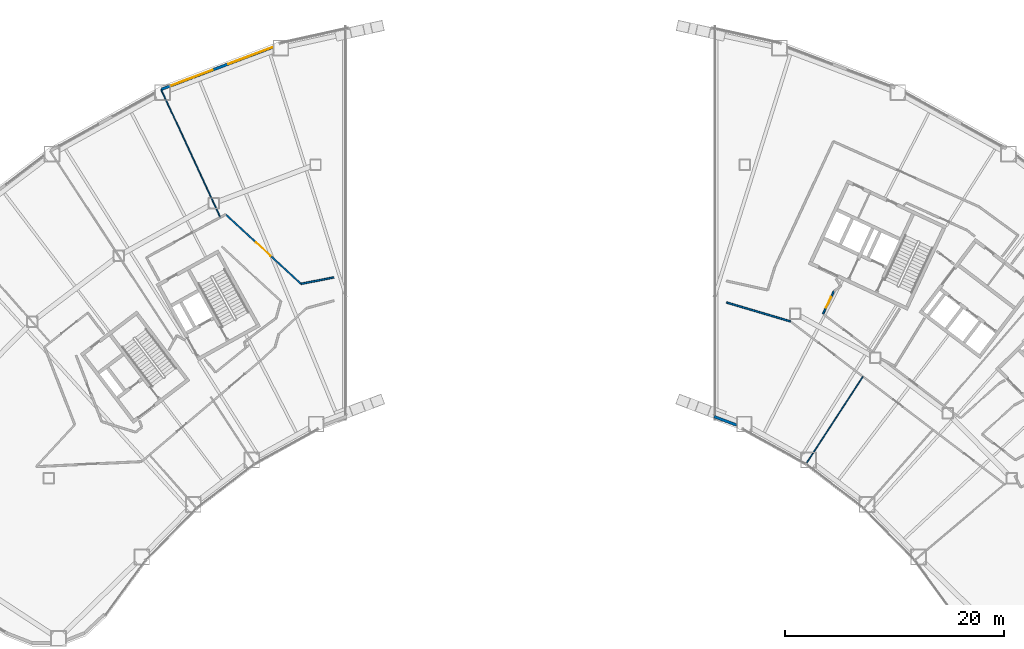
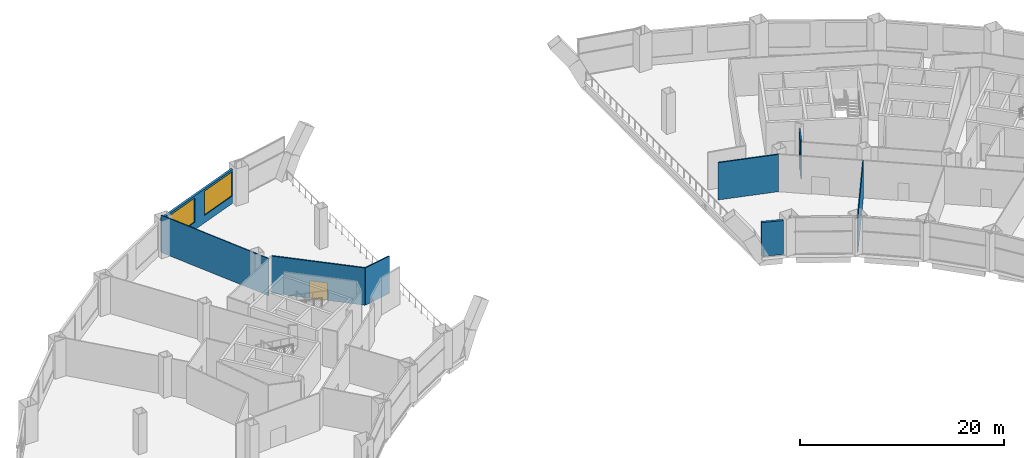
# One storey, part 14 of 20: 8 walls, 2 doors, 2 windows, 4 openings.
"""IFC4 building model written with IfcOpenShell, lengths in metres."""

import ifcopenshell
import ifcopenshell.guid

model = None  # the IFC model being written
_history = None  # IfcOwnerHistory: only IFC2X3 demands one
_inside = {}  # id of a spatial element -> (the spatial element, [elements in it])
_under = {}  # id of a project, library or spatial element -> (it, [spatial elements below it])
_declared = {}  # id of a project -> (the project, [libraries it declares])
_typed = {}  # id of a type object -> (the type object, [elements of that type])
_made_of = {}  # id of a material, layer set ... -> (it, [elements and type objects made of it])


def new_model(schema):
    """Start an empty IFC model of exactly this schema.

    Asked for "IFC4X3", IfcOpenShell would pick the latest addendum, in which some entities
    have other attributes; the version numbers below select the first issue.
    IFC2X3 requires an IfcOwnerHistory on every rooted entity: one is made here for all.
    """
    global model, _history
    if schema == "IFC4X3":
        model = ifcopenshell.file(schema_version=(4, 3, 0, 0))
    else:
        model = ifcopenshell.file(schema=schema)
    _inside.clear()
    _under.clear()
    _declared.clear()
    _typed.clear()
    _made_of.clear()
    _history = None
    if model.schema == "IFC2X3":
        org = make("IfcOrganization", Name="unknown")
        user = make(
            "IfcPersonAndOrganization",
            ThePerson=make("IfcPerson", FamilyName="unknown"),
            TheOrganization=org,
        )
        app = make(
            "IfcApplication",
            ApplicationDeveloper=org,
            Version="unknown",
            ApplicationFullName="unknown",
            ApplicationIdentifier="unknown",
        )
        _history = make(
            "IfcOwnerHistory",
            OwningUser=user,
            OwningApplication=app,
            ChangeAction="ADDED",
            CreationDate=0,
        )
    return model


def make(cls, **values):
    """One entity of the class cls with the attributes given. An attribute that is None is left unset."""
    return model.create_entity(
        cls, **{name: value for name, value in values.items() if value is not None}
    )


def rooted(cls, **values):
    """An entity with a GlobalId (a new one), such as an element, a storey or a relation."""
    return make(cls, GlobalId=ifcopenshell.guid.new(), OwnerHistory=_history, **values)


def si_unit(unit_type, name, prefix=None):
    """IfcSIUnit, for example si_unit("LENGTHUNIT", "METRE", prefix="MILLI")."""
    return make("IfcSIUnit", UnitType=unit_type, Prefix=prefix, Name=name)


def assignment(units):
    """IfcUnitAssignment: the units of a project."""
    return None if units is None else make("IfcUnitAssignment", Units=units)


def point(xyz):
    """IfcCartesianPoint."""
    return None if xyz is None else make("IfcCartesianPoint", Coordinates=xyz)


def direction(xyz):
    """IfcDirection."""
    return None if xyz is None else make("IfcDirection", DirectionRatios=xyz)


def frame(location, z_axis=None, x_axis=None):
    """IfcAxis2Placement3D, a coordinate frame: its origin and axes. An axis left out is left unset."""
    return make(
        "IfcAxis2Placement3D",
        Location=point(location),
        Axis=direction(z_axis),
        RefDirection=direction(x_axis),
    )


def frame_2d(location, x_axis=None):
    """IfcAxis2Placement2D, a coordinate frame in the plane: its origin and x axis."""
    return make(
        "IfcAxis2Placement2D", Location=point(location), RefDirection=direction(x_axis)
    )


def origin():
    """The frame at (0, 0, 0) with its axes left unset."""
    return frame((0.0, 0.0, 0.0))


def place(relative_to, where):
    """IfcLocalPlacement: puts the frame where relative to a parent placement (None: the world)."""
    return make(
        "IfcLocalPlacement", PlacementRelTo=relative_to, RelativePlacement=where
    )


def context(
    kind, dimensions, precision=None, world=None, true_north=None, identifier=None
):
    """IfcGeometricRepresentationContext, for example the 3D "Model" context."""
    return make(
        "IfcGeometricRepresentationContext",
        ContextIdentifier=identifier,
        ContextType=kind,
        CoordinateSpaceDimension=dimensions,
        Precision=precision,
        WorldCoordinateSystem=world,
        TrueNorth=true_north,
    )


def subcontext(parent, identifier, kind, view, scale=None):
    """IfcGeometricRepresentationSubContext, for example "Body" below "Model"."""
    return make(
        "IfcGeometricRepresentationSubContext",
        ContextIdentifier=identifier,
        ContextType=kind,
        ParentContext=parent,
        TargetScale=scale,
        TargetView=view,
    )


def project(units=None, contexts=None):
    """IfcProject with its units and contexts."""
    return rooted(
        "IfcProject",
        Name="project",
        RepresentationContexts=contexts,
        UnitsInContext=assignment(units),
    )


def spatial(cls, under=None, at=None, **own):
    """A site, building, storey or space (cls), placed at a placement, below another one or the project."""
    s = rooted(cls, ObjectPlacement=at, **own)
    if under is not None:
        _under.setdefault(under.id(), (under, []))[1].append(s)
    return s


def profile(cls, at=None, kind="AREA", **sizes):
    """A parametric profile (cls). Its sizes go by their IFC names, for example OverallWidth=200.0."""
    return make(cls, ProfileType=kind, Position=at, **sizes)


def rectangle(**sizes):
    """IfcRectangleProfileDef."""
    return profile("IfcRectangleProfileDef", **sizes)


def extrude(swept, where, along, depth):
    """IfcExtrudedAreaSolid: the profile swept, set in the frame where, extruded along a direction by depth."""
    return make(
        "IfcExtrudedAreaSolid",
        SweptArea=swept,
        Position=where,
        ExtrudedDirection=direction(along),
        Depth=depth,
    )


def shape(context_of_items, identifier, shape_type, items):
    """IfcShapeRepresentation: the items that make up one representation, for example the "Body"."""
    return make(
        "IfcShapeRepresentation",
        ContextOfItems=context_of_items,
        RepresentationIdentifier=identifier,
        RepresentationType=shape_type,
        Items=items,
    )


def material(Name=None, Category=None):
    """IfcMaterial."""
    return make("IfcMaterial", Name=Name, Category=Category)


def layer(
    of_material, thickness, ventilated=None, Name=None, Category=None, Priority=None
):
    """IfcMaterialLayer: one layer of a wall or slab, of a material (None: an air gap)."""
    return make(
        "IfcMaterialLayer",
        Material=of_material,
        LayerThickness=thickness,
        IsVentilated=ventilated,
        Name=Name,
        Category=Category,
        Priority=Priority,
    )


def layer_set(layers, Name=None):
    """IfcMaterialLayerSet."""
    return make("IfcMaterialLayerSet", MaterialLayers=layers, LayerSetName=Name)


def made_of(thing, what):
    """Note that an element or type object is made of a material, layer set ...; save() writes the relation."""
    if what is not None:
        _made_of.setdefault(what.id(), (what, []))[1].append(thing)
    return thing


def type_object(cls, material=None, **own):
    """A type object (cls), such as IfcWallType, which elements share."""
    return made_of(rooted(cls, **own), material)


def element(
    cls,
    number,
    at=None,
    inside=None,
    cuts=None,
    type_object=None,
    material=None,
    context=None,
    identifier="Body",
    shape_type=None,
    held_by="IfcProductDefinitionShape",
    body=None,
    shapes=None,
    **own,
):
    """One element of the class cls, such as IfcWall. Its Tag is "e" and its number.

    at: its placement. inside: the storey or other place that contains it. cuts: it is an
    opening in that element (IfcRelVoidsElement). A single representation is given by context,
    identifier, shape_type and body (its items); several are given by shapes. held_by: the class
    of the entity that holds the representations. save() writes the other relations.
    """
    e = rooted(cls, Tag="e%d" % number, ObjectPlacement=at, **own)
    if body is not None:
        shapes = [shape(context, identifier, shape_type, body)]
    if shapes is not None:
        e.Representation = make(held_by, Representations=shapes)
    if inside is not None:
        _inside.setdefault(inside.id(), (inside, []))[1].append(e)
    if cuts is not None:
        rooted(
            "IfcRelVoidsElement", RelatingBuildingElement=cuts, RelatedOpeningElement=e
        )
    if type_object is not None:
        _typed.setdefault(type_object.id(), (type_object, []))[1].append(e)
    return made_of(e, material)


def fill(opening, filler):
    """IfcRelFillsElement: the door or window that sits in an opening."""
    return rooted(
        "IfcRelFillsElement",
        RelatingOpeningElement=opening,
        RelatedBuildingElement=filler,
    )


def aggregate(whole, parts):
    """IfcRelAggregates: a whole, such as a stair, and the parts it consists of."""
    return rooted("IfcRelAggregates", RelatingObject=whole, RelatedObjects=parts)


def save(model, path):
    """Write the relations noted so far, then the file.

    IfcRelAggregates (storeys below a building ...), IfcRelContainedInSpatialStructure (elements
    in a storey), IfcRelDefinesByType, IfcRelAssociatesMaterial and IfcRelDeclares: one each for
    every whole, place, type object, material and project.
    """
    for whole, parts in _under.values():
        aggregate(whole, parts)
    for where, things in _inside.values():
        rooted(
            "IfcRelContainedInSpatialStructure",
            RelatedElements=things,
            RelatingStructure=where,
        )
    for kind, things in _typed.values():
        rooted("IfcRelDefinesByType", RelatedObjects=things, RelatingType=kind)
    for what, things in _made_of.values():
        rooted("IfcRelAssociatesMaterial", RelatedObjects=things, RelatingMaterial=what)
    for by, libraries in _declared.values():
        rooted("IfcRelDeclares", RelatingContext=by, RelatedDefinitions=libraries)
    model.write(path)


model = new_model("IFC4")

# Units and contexts
model_context = context("Model", 3, precision=1e-05, world=origin(), true_north=direction((0.0, 1.0)))
body_context = subcontext(model_context, "Body", "Model", "MODEL_VIEW")
ifc_project = project(units=[si_unit("LENGTHUNIT", "METRE"), si_unit("AREAUNIT", "SQUARE_METRE"), si_unit("VOLUMEUNIT", "CUBIC_METRE"), si_unit("PLANEANGLEUNIT", "RADIAN"), si_unit("MASSUNIT", "GRAM", prefix="KILO")], contexts=[model_context])

# Site, building, storey
site_placement = place(None, origin())
site = spatial("IfcSite", under=ifc_project, at=site_placement, CompositionType="ELEMENT")
building_placement = place(site_placement, origin())
building = spatial("IfcBuilding", under=site, at=building_placement, Name="Tuul Gate Civic Tower", CompositionType="ELEMENT")
storey_placement = place(building_placement, frame((0.0, 0.0, 12.300048828125)))
storey = spatial("IfcBuildingStorey", under=building, at=storey_placement, Name="Level 02", CompositionType="ELEMENT", Elevation=12.300048828125)

# Walls
ifc_material_1 = material(Name="Gypsum board partition")
ifc_layer_1 = layer(ifc_material_1, 0.14990234375)
ifc_layer_set_1 = layer_set([ifc_layer_1], Name="Gypsum board partition")
wall_type_1 = type_object("IfcWallType", Name="Corridor wall P150", PredefinedType="PARTITIONING", material=ifc_layer_set_1)
wall_1_placement = place(storey_placement, frame((17.93798828125, -6.66259765625, 0.0), z_axis=(0.0, 0.0, 1.0), x_axis=(0.958714718483, -0.284369633688, 0.0)))
element("IfcWall", 1, at=wall_1_placement, inside=storey, type_object=wall_type_1, Name="p015", PredefinedType="PARTITIONING", context=body_context, shape_type="SweptSolid", body=[
    extrude(rectangle(XDim=6.0869140625, YDim=0.14990234375, at=frame_2d((3.04345703125, 0.0))), origin(), (0.0, 0.0, 1.0), 4.449951171875),
])
wall_2_placement = place(storey_placement, frame((-20.93505859375, -4.9599609375, 0.0), z_axis=(0.0, 0.0, 1.0), x_axis=(0.981163424933, 0.193179537151, 0.0)))
element("IfcWall", 2, at=wall_2_placement, inside=storey, type_object=wall_type_1, Name="p021", PredefinedType="PARTITIONING", context=body_context, shape_type="SweptSolid", body=[
    extrude(rectangle(XDim=3.0546875, YDim=0.14990234375, at=frame_2d((1.52734375, 0.0))), origin(), (0.0, 0.0, 1.0), 4.449951171875),
])

# Wall, opening, door
wall_3_placement = place(storey_placement, frame((-27.82861328125, 1.3818359375, 0.0), z_axis=(0.0, 0.0, 1.0), x_axis=(0.735355485929, -0.67768156926, 0.0)))
wall_3 = element("IfcWall", 3, at=wall_3_placement, inside=storey, type_object=wall_type_1, Name="p022", PredefinedType="PARTITIONING", context=body_context, shape_type="SweptSolid", body=[
    extrude(rectangle(XDim=9.355224609375, YDim=0.14990234375, at=frame_2d((4.677734375, 0.0))), origin(), (0.0, 0.0, 1.0), 4.449951171875),
])
opening_1_placement = place(wall_3_placement, frame((3.777587890625, 0.0, 0.0)))
opening_1 = element("IfcOpeningElement", 4, at=opening_1_placement, cuts=wall_3, Name="Opening QB-D06", PredefinedType="OPENING", context=body_context, shape_type="SweptSolid", body=[
    extrude(rectangle(XDim=1.800048828125, YDim=2.10009765625, at=frame_2d((0.89990234375, 1.050048828125))), frame((0.0, 0.0849609375, 0.0), z_axis=(0.0, -1.0, 0.0), x_axis=(1.0, 0.0, 0.0)), (0.0, 0.0, 1.0), 0.169921875),
])
ifc_material_2 = material(Name="Timber door leaf, double", Category="wood")
door_type_1 = type_object("IfcDoorType", Name="Door D18", OperationType="DOUBLE_DOOR_SINGLE_SWING", PredefinedType="DOOR", material=ifc_material_2)
door_1_placement = place(opening_1_placement, origin())
door_1 = element("IfcDoor", 5, at=door_1_placement, inside=storey, type_object=door_type_1, Name="Door QB-D06", OperationType="DOUBLE_DOOR_SINGLE_SWING", OverallHeight=2.10009765625, OverallWidth=1.800048828125, PredefinedType="DOOR", context=body_context, shape_type="SweptSolid", body=[
    extrude(rectangle(XDim=1.800048828125, YDim=2.10009765625, at=frame_2d((0.89990234375, 1.050048828125))), frame((0.0, 0.02490234375, 0.0), z_axis=(0.0, -1.0, 0.0), x_axis=(1.0, 0.0, 0.0)), (0.0, 0.0, 1.0), 0.050048828125),
])
fill(opening_1, door_1)

wall_4_placement = place(storey_placement, frame((26.763671875, -7.69091796875, 0.0), z_axis=(0.0, 0.0, 1.0), x_axis=(0.431346257314, 0.902186458722, 0.0)))
wall_4 = element("IfcWall", 6, at=wall_4_placement, inside=storey, type_object=wall_type_1, Name="p066", PredefinedType="PARTITIONING", context=body_context, shape_type="SweptSolid", body=[
    extrude(rectangle(XDim=2.29345703125, YDim=0.14990234375, at=frame_2d((1.146728515625, 0.0))), origin(), (0.0, 0.0, 1.0), 4.449951171875),
])
opening_2_placement = place(wall_4_placement, frame((0.5966796875, 0.0, 0.0)))
opening_2 = element("IfcOpeningElement", 7, at=opening_2_placement, cuts=wall_4, Name="Opening QB-D21", PredefinedType="OPENING", context=body_context, shape_type="SweptSolid", body=[
    extrude(rectangle(XDim=1.10009765625, YDim=2.10009765625, at=frame_2d((0.550048828125, 1.050048828125))), frame((0.0, 0.0849609375, 0.0), z_axis=(0.0, -1.0, 0.0), x_axis=(1.0, 0.0, 0.0)), (0.0, 0.0, 1.0), 0.169921875),
])
ifc_material_3 = material(Name="Timber door leaf", Category="wood")
door_type_2 = type_object("IfcDoorType", Name="Door D11", OperationType="NOTDEFINED", PredefinedType="DOOR", material=ifc_material_3)
door_2_placement = place(opening_2_placement, frame((1.10009765625, 0.0, 0.0), z_axis=(0.0, 0.0, 1.0), x_axis=(-1.0, 0.0, 0.0)))
door_2 = element("IfcDoor", 8, at=door_2_placement, inside=storey, type_object=door_type_2, Name="Door QB-D21", OperationType="SINGLE_SWING_RIGHT", OverallHeight=2.10009765625, OverallWidth=1.10009765625, PredefinedType="DOOR", context=body_context, shape_type="SweptSolid", body=[
    extrude(rectangle(XDim=1.10009765625, YDim=2.10009765625, at=frame_2d((0.550048828125, 1.050048828125))), frame((0.0, 0.02490234375, 0.0), z_axis=(0.0, -1.0, 0.0), x_axis=(1.0, 0.0, 0.0)), (0.0, 0.0, 1.0), 0.050048828125),
])
fill(opening_2, door_2)

# Wall, openings, windows
ifc_material_4 = material(Name="Precast concrete C40/50", Category="concrete")
ifc_layer_2 = layer(ifc_material_4, 0.25)
ifc_layer_set_2 = layer_set([ifc_layer_2], Name="Precast concrete C40/50")
wall_type_2 = type_object("IfcWallType", Name="External wall", PredefinedType="STANDARD", material=ifc_layer_set_2)
wall_5_placement = place(storey_placement, frame((-23.491943359375, 16.677490234375, 0.0), z_axis=(0.0, 0.0, 1.0), x_axis=(-0.935356802544, -0.353705600655, 0.0)))
wall_5 = element("IfcWall", 9, at=wall_5_placement, inside=storey, type_object=wall_type_2, Name="External wall", PredefinedType="STANDARD", context=body_context, shape_type="SweptSolid", body=[
    extrude(rectangle(XDim=10.894775390625, YDim=0.25, at=frame_2d((5.447265625, 0.0))), origin(), (0.0, 0.0, 1.0), 4.050048828125),
])
opening_3_placement = place(wall_5_placement, frame((0.09521484375, 0.0, 0.89990234375)))
opening_3 = element("IfcOpeningElement", 10, at=opening_3_placement, cuts=wall_5, Name="Opening W13", PredefinedType="OPENING", context=body_context, shape_type="SweptSolid", body=[
    extrude(rectangle(XDim=4.300048828125, YDim=2.89990234375, at=frame_2d((2.14990234375, 1.449951171875))), frame((0.0, 0.135009765625, 0.0), z_axis=(0.0, -1.0, 0.0), x_axis=(1.0, 0.0, 0.0)), (0.0, 0.0, 1.0), 0.27001953125),
])
opening_4_placement = place(wall_5_placement, frame((5.905029296875, 0.0, 0.89990234375)))
opening_4 = element("IfcOpeningElement", 11, at=opening_4_placement, cuts=wall_5, Name="Opening W86", PredefinedType="OPENING", context=body_context, shape_type="SweptSolid", body=[
    extrude(rectangle(XDim=4.10009765625, YDim=2.89990234375, at=frame_2d((2.050048828125, 1.449951171875))), frame((0.0, 0.135009765625, 0.0), z_axis=(0.0, -1.0, 0.0), x_axis=(1.0, 0.0, 0.0)), (0.0, 0.0, 1.0), 0.27001953125),
])
ifc_material_5 = material(Name="Glass", Category="glass")
window_type_1 = type_object("IfcWindowType", Name="Window W13 4300 x 2900", PartitioningType="SINGLE_PANEL", PredefinedType="WINDOW", material=ifc_material_5)
window_1_placement = place(opening_3_placement, origin())
window_1 = element("IfcWindow", 12, at=window_1_placement, inside=storey, type_object=window_type_1, Name="Window", OverallHeight=2.89990234375, OverallWidth=4.300048828125, PartitioningType="SINGLE_PANEL", PredefinedType="WINDOW", context=body_context, shape_type="SweptSolid", body=[
    extrude(rectangle(XDim=4.300048828125, YDim=2.89990234375, at=frame_2d((2.14990234375, 1.449951171875))), frame((0.0, 0.030029296875, 0.0), z_axis=(0.0, -1.0, 0.0), x_axis=(1.0, 0.0, 0.0)), (0.0, 0.0, 1.0), 0.06005859375),
])
fill(opening_3, window_1)
ifc_material_6 = material(Name="Glass", Category="glass")
window_type_2 = type_object("IfcWindowType", Name="Window W86 4100 x 2900", PartitioningType="SINGLE_PANEL", PredefinedType="WINDOW", material=ifc_material_6)
window_2_placement = place(opening_4_placement, origin())
window_2 = element("IfcWindow", 13, at=window_2_placement, inside=storey, type_object=window_type_2, Name="Window", OverallHeight=2.89990234375, OverallWidth=4.10009765625, PartitioningType="SINGLE_PANEL", PredefinedType="WINDOW", context=body_context, shape_type="SweptSolid", body=[
    extrude(rectangle(XDim=4.10009765625, YDim=2.89990234375, at=frame_2d((2.050048828125, 1.449951171875))), frame((0.0, 0.030029296875, 0.0), z_axis=(0.0, -1.0, 0.0), x_axis=(1.0, 0.0, 0.0)), (0.0, 0.0, 1.0), 0.06005859375),
])
fill(opening_4, window_2)

# Walls
wall_6_placement = place(storey_placement, frame((16.80908203125, -17.091552734375, 0.0), z_axis=(0.0, 0.0, 1.0), x_axis=(0.935336100559, -0.353760341179, 0.0)))
element("IfcWall", 14, at=wall_6_placement, inside=storey, type_object=wall_type_2, Name="External wall", PredefinedType="STANDARD", context=body_context, shape_type="SweptSolid", body=[
    extrude(rectangle(XDim=2.1904296875, YDim=0.25, at=frame_2d((1.09521484375, 0.0))), origin(), (0.0, 0.0, 1.0), 4.050048828125),
])
ifc_material_7 = material(Name="Gypsum board partition")
ifc_layer_3 = layer(ifc_material_7, 0.10009765625)
ifc_layer_set_3 = layer_set([ifc_layer_3], Name="Gypsum board partition")
wall_type_3 = type_object("IfcWallType", Name="Partition P100", PredefinedType="PARTITIONING", material=ifc_layer_set_3)
wall_7_placement = place(storey_placement, frame((25.2568359375, -21.3193359375, 0.0), z_axis=(0.0, 0.0, 1.0), x_axis=(0.546736607831, 0.837304652834, 0.0)))
element("IfcWall", 15, at=wall_7_placement, inside=storey, type_object=wall_type_3, Name="p014", PredefinedType="PARTITIONING", context=body_context, shape_type="SweptSolid", body=[
    extrude(rectangle(XDim=9.41796875, YDim=0.10009765625, at=frame_2d((4.708984375, 0.0))), origin(), (0.0, 0.0, 1.0), 4.449951171875),
])
wall_8_placement = place(storey_placement, frame((-33.7314453125, 12.810791015625, 0.0), z_axis=(0.0, 0.0, 1.0), x_axis=(0.420355262151, -0.907359605439, 0.0)))
element("IfcWall", 16, at=wall_8_placement, inside=storey, type_object=wall_type_3, Name="p020", PredefinedType="PARTITIONING", context=body_context, shape_type="SweptSolid", body=[
    extrude(rectangle(XDim=12.88671875, YDim=0.10009765625, at=frame_2d((6.443359375, 0.0))), origin(), (0.0, 0.0, 1.0), 4.449951171875),
])

save(model, "model.ifc")
